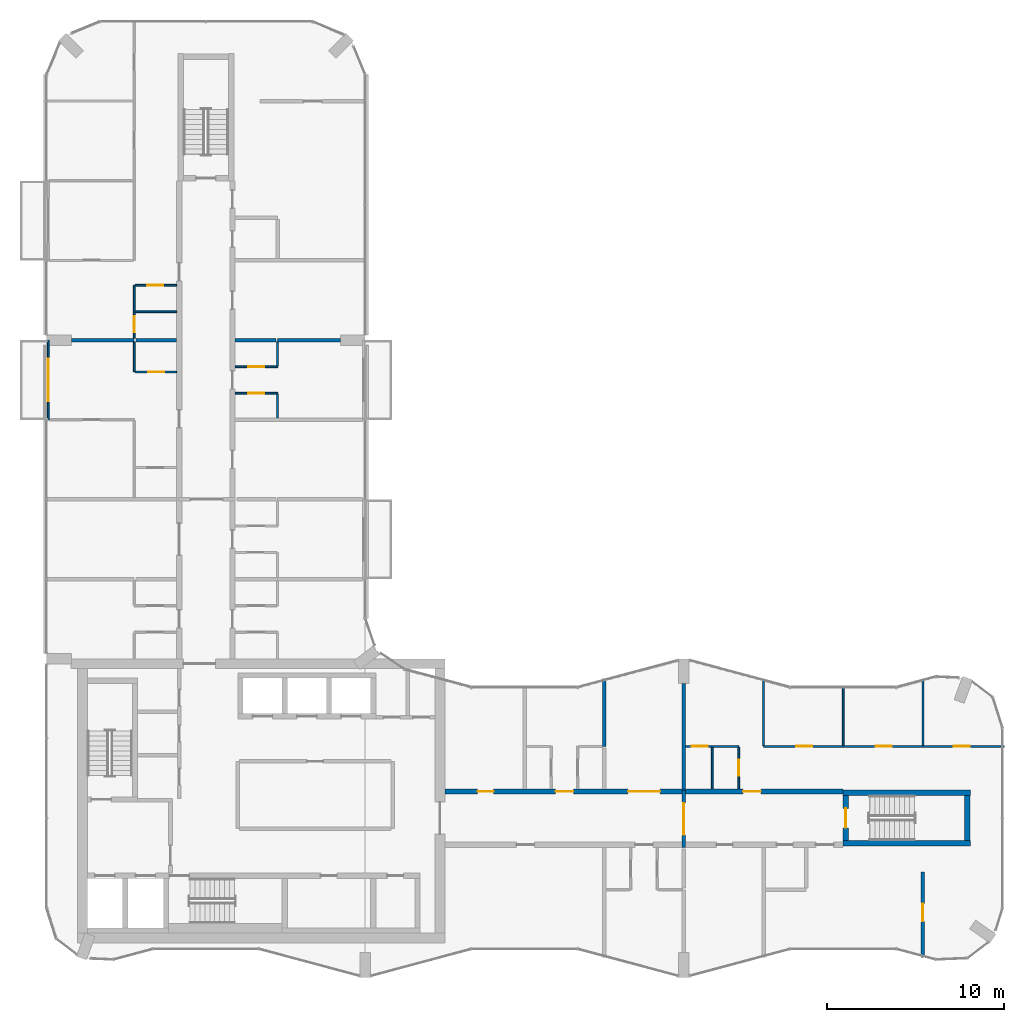
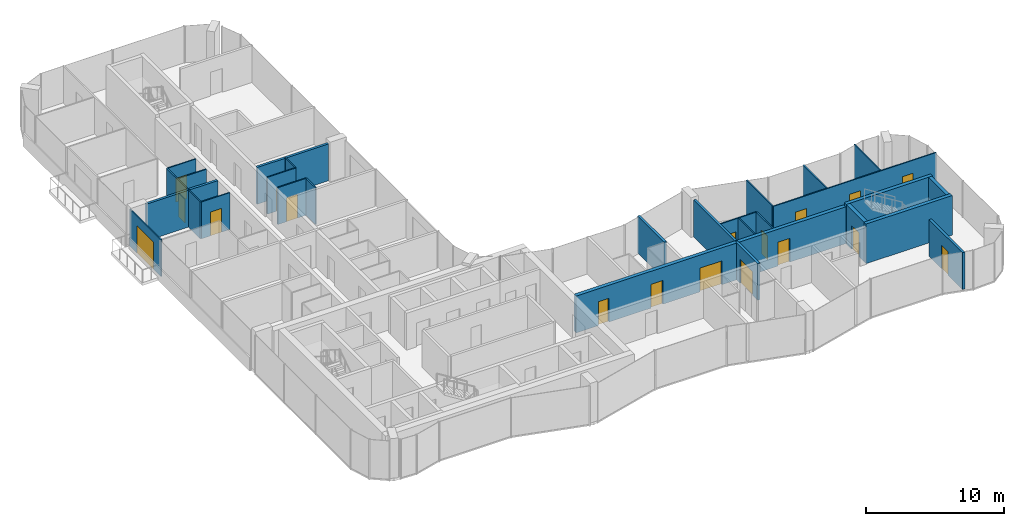
# One storey, part 12 of 15: 30 walls, 18 doors, 18 openings.
"""IFC4 building model written with IfcOpenShell, lengths in metres."""

import ifcopenshell
import ifcopenshell.guid

model = None  # the IFC model being written
_history = None  # IfcOwnerHistory: only IFC2X3 demands one
_inside = {}  # id of a spatial element -> (the spatial element, [elements in it])
_under = {}  # id of a project, library or spatial element -> (it, [spatial elements below it])
_declared = {}  # id of a project -> (the project, [libraries it declares])
_typed = {}  # id of a type object -> (the type object, [elements of that type])
_made_of = {}  # id of a material, layer set ... -> (it, [elements and type objects made of it])


def new_model(schema):
    """Start an empty IFC model of exactly this schema.

    Asked for "IFC4X3", IfcOpenShell would pick the latest addendum, in which some entities
    have other attributes; the version numbers below select the first issue.
    IFC2X3 requires an IfcOwnerHistory on every rooted entity: one is made here for all.
    """
    global model, _history
    if schema == "IFC4X3":
        model = ifcopenshell.file(schema_version=(4, 3, 0, 0))
    else:
        model = ifcopenshell.file(schema=schema)
    _inside.clear()
    _under.clear()
    _declared.clear()
    _typed.clear()
    _made_of.clear()
    _history = None
    if model.schema == "IFC2X3":
        org = make("IfcOrganization", Name="unknown")
        user = make(
            "IfcPersonAndOrganization",
            ThePerson=make("IfcPerson", FamilyName="unknown"),
            TheOrganization=org,
        )
        app = make(
            "IfcApplication",
            ApplicationDeveloper=org,
            Version="unknown",
            ApplicationFullName="unknown",
            ApplicationIdentifier="unknown",
        )
        _history = make(
            "IfcOwnerHistory",
            OwningUser=user,
            OwningApplication=app,
            ChangeAction="ADDED",
            CreationDate=0,
        )
    return model


def make(cls, **values):
    """One entity of the class cls with the attributes given. An attribute that is None is left unset."""
    return model.create_entity(
        cls, **{name: value for name, value in values.items() if value is not None}
    )


def rooted(cls, **values):
    """An entity with a GlobalId (a new one), such as an element, a storey or a relation."""
    return make(cls, GlobalId=ifcopenshell.guid.new(), OwnerHistory=_history, **values)


def si_unit(unit_type, name, prefix=None):
    """IfcSIUnit, for example si_unit("LENGTHUNIT", "METRE", prefix="MILLI")."""
    return make("IfcSIUnit", UnitType=unit_type, Prefix=prefix, Name=name)


def assignment(units):
    """IfcUnitAssignment: the units of a project."""
    return None if units is None else make("IfcUnitAssignment", Units=units)


def point(xyz):
    """IfcCartesianPoint."""
    return None if xyz is None else make("IfcCartesianPoint", Coordinates=xyz)


def direction(xyz):
    """IfcDirection."""
    return None if xyz is None else make("IfcDirection", DirectionRatios=xyz)


def frame(location, z_axis=None, x_axis=None):
    """IfcAxis2Placement3D, a coordinate frame: its origin and axes. An axis left out is left unset."""
    return make(
        "IfcAxis2Placement3D",
        Location=point(location),
        Axis=direction(z_axis),
        RefDirection=direction(x_axis),
    )


def frame_2d(location, x_axis=None):
    """IfcAxis2Placement2D, a coordinate frame in the plane: its origin and x axis."""
    return make(
        "IfcAxis2Placement2D", Location=point(location), RefDirection=direction(x_axis)
    )


def origin():
    """The frame at (0, 0, 0) with its axes left unset."""
    return frame((0.0, 0.0, 0.0))


def place(relative_to, where):
    """IfcLocalPlacement: puts the frame where relative to a parent placement (None: the world)."""
    return make(
        "IfcLocalPlacement", PlacementRelTo=relative_to, RelativePlacement=where
    )


def context(
    kind, dimensions, precision=None, world=None, true_north=None, identifier=None
):
    """IfcGeometricRepresentationContext, for example the 3D "Model" context."""
    return make(
        "IfcGeometricRepresentationContext",
        ContextIdentifier=identifier,
        ContextType=kind,
        CoordinateSpaceDimension=dimensions,
        Precision=precision,
        WorldCoordinateSystem=world,
        TrueNorth=true_north,
    )


def subcontext(parent, identifier, kind, view, scale=None):
    """IfcGeometricRepresentationSubContext, for example "Body" below "Model"."""
    return make(
        "IfcGeometricRepresentationSubContext",
        ContextIdentifier=identifier,
        ContextType=kind,
        ParentContext=parent,
        TargetScale=scale,
        TargetView=view,
    )


def project(units=None, contexts=None):
    """IfcProject with its units and contexts."""
    return rooted(
        "IfcProject",
        Name="project",
        RepresentationContexts=contexts,
        UnitsInContext=assignment(units),
    )


def spatial(cls, under=None, at=None, **own):
    """A site, building, storey or space (cls), placed at a placement, below another one or the project."""
    s = rooted(cls, ObjectPlacement=at, **own)
    if under is not None:
        _under.setdefault(under.id(), (under, []))[1].append(s)
    return s


def profile(cls, at=None, kind="AREA", **sizes):
    """A parametric profile (cls). Its sizes go by their IFC names, for example OverallWidth=200.0."""
    return make(cls, ProfileType=kind, Position=at, **sizes)


def rectangle(**sizes):
    """IfcRectangleProfileDef."""
    return profile("IfcRectangleProfileDef", **sizes)


def extrude(swept, where, along, depth):
    """IfcExtrudedAreaSolid: the profile swept, set in the frame where, extruded along a direction by depth."""
    return make(
        "IfcExtrudedAreaSolid",
        SweptArea=swept,
        Position=where,
        ExtrudedDirection=direction(along),
        Depth=depth,
    )


def shape(context_of_items, identifier, shape_type, items):
    """IfcShapeRepresentation: the items that make up one representation, for example the "Body"."""
    return make(
        "IfcShapeRepresentation",
        ContextOfItems=context_of_items,
        RepresentationIdentifier=identifier,
        RepresentationType=shape_type,
        Items=items,
    )


def material(Name=None, Category=None):
    """IfcMaterial."""
    return make("IfcMaterial", Name=Name, Category=Category)


def layer(
    of_material, thickness, ventilated=None, Name=None, Category=None, Priority=None
):
    """IfcMaterialLayer: one layer of a wall or slab, of a material (None: an air gap)."""
    return make(
        "IfcMaterialLayer",
        Material=of_material,
        LayerThickness=thickness,
        IsVentilated=ventilated,
        Name=Name,
        Category=Category,
        Priority=Priority,
    )


def layer_set(layers, Name=None):
    """IfcMaterialLayerSet."""
    return make("IfcMaterialLayerSet", MaterialLayers=layers, LayerSetName=Name)


def made_of(thing, what):
    """Note that an element or type object is made of a material, layer set ...; save() writes the relation."""
    if what is not None:
        _made_of.setdefault(what.id(), (what, []))[1].append(thing)
    return thing


def type_object(cls, material=None, **own):
    """A type object (cls), such as IfcWallType, which elements share."""
    return made_of(rooted(cls, **own), material)


def element(
    cls,
    number,
    at=None,
    inside=None,
    cuts=None,
    type_object=None,
    material=None,
    context=None,
    identifier="Body",
    shape_type=None,
    held_by="IfcProductDefinitionShape",
    body=None,
    shapes=None,
    **own,
):
    """One element of the class cls, such as IfcWall. Its Tag is "e" and its number.

    at: its placement. inside: the storey or other place that contains it. cuts: it is an
    opening in that element (IfcRelVoidsElement). A single representation is given by context,
    identifier, shape_type and body (its items); several are given by shapes. held_by: the class
    of the entity that holds the representations. save() writes the other relations.
    """
    e = rooted(cls, Tag="e%d" % number, ObjectPlacement=at, **own)
    if body is not None:
        shapes = [shape(context, identifier, shape_type, body)]
    if shapes is not None:
        e.Representation = make(held_by, Representations=shapes)
    if inside is not None:
        _inside.setdefault(inside.id(), (inside, []))[1].append(e)
    if cuts is not None:
        rooted(
            "IfcRelVoidsElement", RelatingBuildingElement=cuts, RelatedOpeningElement=e
        )
    if type_object is not None:
        _typed.setdefault(type_object.id(), (type_object, []))[1].append(e)
    return made_of(e, material)


def fill(opening, filler):
    """IfcRelFillsElement: the door or window that sits in an opening."""
    return rooted(
        "IfcRelFillsElement",
        RelatingOpeningElement=opening,
        RelatedBuildingElement=filler,
    )


def aggregate(whole, parts):
    """IfcRelAggregates: a whole, such as a stair, and the parts it consists of."""
    return rooted("IfcRelAggregates", RelatingObject=whole, RelatedObjects=parts)


def save(model, path):
    """Write the relations noted so far, then the file.

    IfcRelAggregates (storeys below a building ...), IfcRelContainedInSpatialStructure (elements
    in a storey), IfcRelDefinesByType, IfcRelAssociatesMaterial and IfcRelDeclares: one each for
    every whole, place, type object, material and project.
    """
    for whole, parts in _under.values():
        aggregate(whole, parts)
    for where, things in _inside.values():
        rooted(
            "IfcRelContainedInSpatialStructure",
            RelatedElements=things,
            RelatingStructure=where,
        )
    for kind, things in _typed.values():
        rooted("IfcRelDefinesByType", RelatedObjects=things, RelatingType=kind)
    for what, things in _made_of.values():
        rooted("IfcRelAssociatesMaterial", RelatedObjects=things, RelatingMaterial=what)
    for by, libraries in _declared.values():
        rooted("IfcRelDeclares", RelatingContext=by, RelatedDefinitions=libraries)
    model.write(path)


model = new_model("IFC4")

# Units and contexts
model_context = context("Model", 3, precision=1e-05, world=origin(), true_north=direction((0.0, 1.0)))
body_context = subcontext(model_context, "Body", "Model", "MODEL_VIEW")
ifc_project = project(units=[si_unit("LENGTHUNIT", "METRE"), si_unit("AREAUNIT", "SQUARE_METRE"), si_unit("VOLUMEUNIT", "CUBIC_METRE"), si_unit("PLANEANGLEUNIT", "RADIAN"), si_unit("MASSUNIT", "GRAM", prefix="KILO")], contexts=[model_context])

# Site, building, storey
site_placement = place(None, origin())
site = spatial("IfcSite", under=ifc_project, at=site_placement, CompositionType="ELEMENT")
building_placement = place(site_placement, origin())
building = spatial("IfcBuilding", under=site, at=building_placement, Name="Plateau Cross Towers", CompositionType="ELEMENT")
storey_placement = place(building_placement, frame((0.0, 0.0, 177.89990234375)))
storey = spatial("IfcBuildingStorey", under=building, at=storey_placement, Name="L46", CompositionType="ELEMENT", Elevation=177.89990234375)

# Wall, opening, door
ifc_material_1 = material(Name="Aluminium framed glazing", Category="aluminium")
ifc_layer_1 = layer(ifc_material_1, 0.10009765625)
ifc_layer_set_1 = layer_set([ifc_layer_1], Name="Aluminium framed glazing")
wall_type_1 = type_object("IfcWallType", Name="Balcony screen wall 100", PredefinedType="STANDARD", material=ifc_layer_set_1)
wall_1_placement = place(storey_placement, frame((0.10009765625, 31.5, 0.0), z_axis=(0.0, 0.0, 1.0), x_axis=(0.0, 1.0, 0.0)))
wall_1 = element("IfcWall", 1, at=wall_1_placement, inside=storey, type_object=wall_type_1, Name="Balcony screen wall A-BAL-L46-01", PredefinedType="STANDARD", context=body_context, shape_type="SweptSolid", body=[
    extrude(rectangle(XDim=4.5, YDim=0.10009765625, at=frame_2d((2.25, 0.0))), origin(), (0.0, 0.0, 1.0), 3.25),
])
opening_1_placement = place(wall_1_placement, frame((1.050048828125, 0.0, 0.0)))
opening_1 = element("IfcOpeningElement", 2, at=opening_1_placement, cuts=wall_1, Name="Opening D-B24", PredefinedType="OPENING", context=body_context, shape_type="SweptSolid", body=[
    extrude(rectangle(XDim=2.39990234375, YDim=2.39990234375, at=frame_2d((1.199951171875, 1.199951171875))), frame((0.0, 0.06005859375, 0.0), z_axis=(0.0, -1.0, 0.0), x_axis=(1.0, 0.0, 0.0)), (0.0, 0.0, 1.0), 0.1201171875),
])
ifc_material_2 = material(Name="Aluminium frame, double glazing", Category="aluminium")
door_type_1 = type_object("IfcDoorType", Name="Balcony sliding door 2400", OperationType="NOTDEFINED", PredefinedType="DOOR", material=ifc_material_2)
door_1_placement = place(opening_1_placement, origin())
door_1 = element("IfcDoor", 3, at=door_1_placement, inside=storey, type_object=door_type_1, Name="Balcony door A-BAL-L46-01", OperationType="SINGLE_SWING_LEFT", OverallHeight=2.39990234375, OverallWidth=2.39990234375, PredefinedType="DOOR", context=body_context, shape_type="SweptSolid", body=[
    extrude(rectangle(XDim=2.39990234375, YDim=2.39990234375, at=frame_2d((1.199951171875, 1.199951171875))), frame((0.0, 0.02490234375, 0.0), z_axis=(0.0, -1.0, 0.0), x_axis=(1.0, 0.0, 0.0)), (0.0, 0.0, 1.0), 0.050048828125),
])
fill(opening_1, door_1)

# Wall, openings, doors
ifc_material_3 = material(Name="Concrete C60/75", Category="concrete")
ifc_layer_2 = layer(ifc_material_3, 0.300048828125)
ifc_layer_set_2 = layer_set([ifc_layer_2], Name="Concrete C60/75")
wall_type_2 = type_object("IfcWallType", Name="Corridor wall 300", PredefinedType="SHEAR", material=ifc_layer_set_2)
wall_2_placement = place(storey_placement, frame((22.5, 10.5, 0.0), z_axis=(0.0, 0.0, 1.0), x_axis=(1.0, 0.0, 0.0)))
wall_2 = element("IfcWall", 4, at=wall_2_placement, inside=storey, type_object=wall_type_2, Name="A-cw-S2@L46", PredefinedType="SHEAR", context=body_context, shape_type="SweptSolid", body=[
    extrude(rectangle(XDim=22.5, YDim=0.300048828125, at=frame_2d((11.25, 0.0))), origin(), (0.0, 0.0, 1.0), 3.25),
])
opening_2_placement = place(wall_2_placement, frame((1.85009765625, 0.0, 0.0)))
opening_2 = element("IfcOpeningElement", 5, at=opening_2_placement, cuts=wall_2, Name="Opening 46-06", PredefinedType="OPENING", context=body_context, shape_type="SweptSolid", body=[
    extrude(rectangle(XDim=0.89990234375, YDim=2.10009765625, at=frame_2d((0.449951171875, 1.050048828125))), frame((0.0, 0.159912109375, 0.0), z_axis=(0.0, -1.0, 0.0), x_axis=(1.0, 0.0, 0.0)), (0.0, 0.0, 1.0), 0.320068359375),
])
opening_3_placement = place(wall_2_placement, frame((6.25, 0.0, 0.0)))
opening_3 = element("IfcOpeningElement", 6, at=opening_3_placement, cuts=wall_2, Name="Opening 46-07", PredefinedType="OPENING", context=body_context, shape_type="SweptSolid", body=[
    extrude(rectangle(XDim=1.0, YDim=2.10009765625, at=frame_2d((0.5, 1.050048828125))), frame((0.0, 0.159912109375, 0.0), z_axis=(0.0, -1.0, 0.0), x_axis=(1.0, 0.0, 0.0)), (0.0, 0.0, 1.0), 0.320068359375),
])
opening_4_placement = place(wall_2_placement, frame((10.35009765625, 0.0, 0.0)))
opening_4 = element("IfcOpeningElement", 7, at=opening_4_placement, cuts=wall_2, Name="Opening 46-08", PredefinedType="OPENING", context=body_context, shape_type="SweptSolid", body=[
    extrude(rectangle(XDim=1.800048828125, YDim=2.10009765625, at=frame_2d((0.89990234375, 1.050048828125))), frame((0.0, 0.159912109375, 0.0), z_axis=(0.0, -1.0, 0.0), x_axis=(1.0, 0.0, 0.0)), (0.0, 0.0, 1.0), 0.320068359375),
])
opening_5_placement = place(wall_2_placement, frame((16.85009765625, 0.0, 0.0)))
opening_5 = element("IfcOpeningElement", 8, at=opening_5_placement, cuts=wall_2, Name="Opening 46-09", PredefinedType="OPENING", context=body_context, shape_type="SweptSolid", body=[
    extrude(rectangle(XDim=1.0, YDim=2.10009765625, at=frame_2d((0.5, 1.050048828125))), frame((0.0, 0.159912109375, 0.0), z_axis=(0.0, -1.0, 0.0), x_axis=(1.0, 0.0, 0.0)), (0.0, 0.0, 1.0), 0.320068359375),
])
ifc_material_4 = material(Name="Timber, fire-resisting leaf", Category="wood")
door_type_2 = type_object("IfcDoorType", Name="Flat entrance door 1000", OperationType="NOTDEFINED", PredefinedType="DOOR", material=ifc_material_4)
door_2_placement = place(opening_3_placement, origin())
door_2 = element("IfcDoor", 9, at=door_2_placement, inside=storey, type_object=door_type_2, Name="Door 46-07", OperationType="SINGLE_SWING_LEFT", OverallHeight=2.10009765625, OverallWidth=1.0, PredefinedType="DOOR", context=body_context, shape_type="SweptSolid", body=[
    extrude(rectangle(XDim=1.0, YDim=2.10009765625, at=frame_2d((0.5, 1.050048828125))), frame((0.0, 0.02490234375, 0.0), z_axis=(0.0, -1.0, 0.0), x_axis=(1.0, 0.0, 0.0)), (0.0, 0.0, 1.0), 0.050048828125),
])
fill(opening_3, door_2)
door_3_placement = place(opening_5_placement, origin())
door_3 = element("IfcDoor", 10, at=door_3_placement, inside=storey, type_object=door_type_2, Name="Door 46-09", OperationType="SINGLE_SWING_RIGHT", OverallHeight=2.10009765625, OverallWidth=1.0, PredefinedType="DOOR", context=body_context, shape_type="SweptSolid", body=[
    extrude(rectangle(XDim=1.0, YDim=2.10009765625, at=frame_2d((0.5, 1.050048828125))), frame((0.0, 0.02490234375, 0.0), z_axis=(0.0, -1.0, 0.0), x_axis=(1.0, 0.0, 0.0)), (0.0, 0.0, 1.0), 0.050048828125),
])
fill(opening_5, door_3)
ifc_material_5 = material(Name="Timber, fire-resisting leaves", Category="wood")
door_type_3 = type_object("IfcDoorType", Name="Flat floor fire door pair 1800", OperationType="NOTDEFINED", PredefinedType="DOOR", material=ifc_material_5)
door_4_placement = place(opening_4_placement, origin())
door_4 = element("IfcDoor", 11, at=door_4_placement, inside=storey, type_object=door_type_3, Name="Door 46-08", OperationType="SINGLE_SWING_LEFT", OverallHeight=2.10009765625, OverallWidth=1.800048828125, PredefinedType="DOOR", context=body_context, shape_type="SweptSolid", body=[
    extrude(rectangle(XDim=1.800048828125, YDim=2.10009765625, at=frame_2d((0.89990234375, 1.050048828125))), frame((0.0, 0.02490234375, 0.0), z_axis=(0.0, -1.0, 0.0), x_axis=(1.0, 0.0, 0.0)), (0.0, 0.0, 1.0), 0.050048828125),
])
fill(opening_4, door_4)
door_type_4 = type_object("IfcDoorType", Name="Flat floor service door 900", OperationType="NOTDEFINED", PredefinedType="DOOR", material=ifc_material_4)
door_5_placement = place(opening_2_placement, origin())
door_5 = element("IfcDoor", 12, at=door_5_placement, inside=storey, type_object=door_type_4, Name="Door 46-06", OperationType="SINGLE_SWING_LEFT", OverallHeight=2.10009765625, OverallWidth=0.89990234375, PredefinedType="DOOR", context=body_context, shape_type="SweptSolid", body=[
    extrude(rectangle(XDim=0.89990234375, YDim=2.10009765625, at=frame_2d((0.449951171875, 1.050048828125))), frame((0.0, 0.02490234375, 0.0), z_axis=(0.0, -1.0, 0.0), x_axis=(1.0, 0.0, 0.0)), (0.0, 0.0, 1.0), 0.050048828125),
])
fill(opening_2, door_5)

# Wall, opening, door
ifc_material_6 = material(Name="Gypsum board on steel studs", Category="steel")
ifc_layer_3 = layer(ifc_material_6, 0.10009765625)
ifc_layer_set_3 = layer_set([ifc_layer_3], Name="Gypsum board on steel studs")
wall_type_3 = type_object("IfcWallType", Name="Flat partition 100", PredefinedType="PARTITIONING", material=ifc_layer_set_3)
wall_3_placement = place(storey_placement, frame((39.10009765625, 13.050048828125, 0.0), z_axis=(0.0, 0.0, 1.0), x_axis=(-1.0, 0.0, 0.0)))
wall_3 = element("IfcWall", 13, at=wall_3_placement, inside=storey, type_object=wall_type_3, Name="Partition wall", PredefinedType="PARTITIONING", context=body_context, shape_type="SweptSolid", body=[
    extrude(rectangle(XDim=3.0, YDim=0.10009765625, at=frame_2d((1.5, 0.0))), origin(), (0.0, 0.0, 1.0), 3.25),
])
opening_6_placement = place(wall_3_placement, frame((1.75, 0.0, 0.0)))
opening_6 = element("IfcOpeningElement", 14, at=opening_6_placement, cuts=wall_3, Name="Opening 46-29", PredefinedType="OPENING", context=body_context, shape_type="SweptSolid", body=[
    extrude(rectangle(XDim=0.89990234375, YDim=2.10009765625, at=frame_2d((0.449951171875, 1.050048828125))), frame((0.0, 0.06005859375, 0.0), z_axis=(0.0, -1.0, 0.0), x_axis=(1.0, 0.0, 0.0)), (0.0, 0.0, 1.0), 0.1201171875),
])
ifc_material_7 = material(Name="Timber leaf", Category="wood")
door_type_5 = type_object("IfcDoorType", Name="Flat room door 900", OperationType="NOTDEFINED", PredefinedType="DOOR", material=ifc_material_7)
door_6_placement = place(opening_6_placement, origin())
door_6 = element("IfcDoor", 15, at=door_6_placement, inside=storey, type_object=door_type_5, Name="Door 46-29", OperationType="SINGLE_SWING_RIGHT", OverallHeight=2.10009765625, OverallWidth=0.89990234375, PredefinedType="DOOR", context=body_context, shape_type="SweptSolid", body=[
    extrude(rectangle(XDim=0.89990234375, YDim=2.10009765625, at=frame_2d((0.449951171875, 1.050048828125))), frame((0.0, 0.02490234375, 0.0), z_axis=(0.0, -1.0, 0.0), x_axis=(1.0, 0.0, 0.0)), (0.0, 0.0, 1.0), 0.050048828125),
])
fill(opening_6, door_6)

# Wall, openings, doors
wall_4_placement = place(storey_placement, frame((40.5, 13.050048828125, 0.0), z_axis=(0.0, 0.0, 1.0), x_axis=(1.0, 0.0, 0.0)))
wall_4 = element("IfcWall", 16, at=wall_4_placement, inside=storey, type_object=wall_type_3, Name="Partition wall", PredefinedType="PARTITIONING", context=body_context, shape_type="SweptSolid", body=[
    extrude(rectangle(XDim=13.580078125, YDim=0.10009765625, at=frame_2d((6.7900390625, 0.0))), origin(), (0.0, 0.0, 1.0), 3.25),
])
opening_7_placement = place(wall_4_placement, frame((1.85009765625, 0.0, 0.0)))
opening_7 = element("IfcOpeningElement", 17, at=opening_7_placement, cuts=wall_4, Name="Opening 46-31", PredefinedType="OPENING", context=body_context, shape_type="SweptSolid", body=[
    extrude(rectangle(XDim=0.89990234375, YDim=2.10009765625, at=frame_2d((0.449951171875, 1.050048828125))), frame((0.0, 0.06005859375, 0.0), z_axis=(0.0, -1.0, 0.0), x_axis=(1.0, 0.0, 0.0)), (0.0, 0.0, 1.0), 0.1201171875),
])
opening_8_placement = place(wall_4_placement, frame((6.35009765625, 0.0, 0.0)))
opening_8 = element("IfcOpeningElement", 18, at=opening_8_placement, cuts=wall_4, Name="Opening 46-32", PredefinedType="OPENING", context=body_context, shape_type="SweptSolid", body=[
    extrude(rectangle(XDim=0.89990234375, YDim=2.10009765625, at=frame_2d((0.449951171875, 1.050048828125))), frame((0.0, 0.06005859375, 0.0), z_axis=(0.0, -1.0, 0.0), x_axis=(1.0, 0.0, 0.0)), (0.0, 0.0, 1.0), 0.1201171875),
])
opening_9_placement = place(wall_4_placement, frame((10.75, 0.0, 0.0)))
opening_9 = element("IfcOpeningElement", 19, at=opening_9_placement, cuts=wall_4, Name="Opening 46-33", PredefinedType="OPENING", context=body_context, shape_type="SweptSolid", body=[
    extrude(rectangle(XDim=0.89990234375, YDim=2.10009765625, at=frame_2d((0.449951171875, 1.050048828125))), frame((0.0, 0.06005859375, 0.0), z_axis=(0.0, -1.0, 0.0), x_axis=(1.0, 0.0, 0.0)), (0.0, 0.0, 1.0), 0.1201171875),
])
door_7_placement = place(opening_7_placement, origin())
door_7 = element("IfcDoor", 20, at=door_7_placement, inside=storey, type_object=door_type_5, Name="Door 46-31", OperationType="SINGLE_SWING_LEFT", OverallHeight=2.10009765625, OverallWidth=0.89990234375, PredefinedType="DOOR", context=body_context, shape_type="SweptSolid", body=[
    extrude(rectangle(XDim=0.89990234375, YDim=2.10009765625, at=frame_2d((0.449951171875, 1.050048828125))), frame((0.0, 0.02490234375, 0.0), z_axis=(0.0, -1.0, 0.0), x_axis=(1.0, 0.0, 0.0)), (0.0, 0.0, 1.0), 0.050048828125),
])
fill(opening_7, door_7)
door_8_placement = place(opening_8_placement, origin())
door_8 = element("IfcDoor", 21, at=door_8_placement, inside=storey, type_object=door_type_5, Name="Door 46-32", OperationType="SINGLE_SWING_RIGHT", OverallHeight=2.10009765625, OverallWidth=0.89990234375, PredefinedType="DOOR", context=body_context, shape_type="SweptSolid", body=[
    extrude(rectangle(XDim=0.89990234375, YDim=2.10009765625, at=frame_2d((0.449951171875, 1.050048828125))), frame((0.0, 0.02490234375, 0.0), z_axis=(0.0, -1.0, 0.0), x_axis=(1.0, 0.0, 0.0)), (0.0, 0.0, 1.0), 0.050048828125),
])
fill(opening_8, door_8)
door_9_placement = place(opening_9_placement, origin())
door_9 = element("IfcDoor", 22, at=door_9_placement, inside=storey, type_object=door_type_5, Name="Door 46-33", OperationType="SINGLE_SWING_RIGHT", OverallHeight=2.10009765625, OverallWidth=0.89990234375, PredefinedType="DOOR", context=body_context, shape_type="SweptSolid", body=[
    extrude(rectangle(XDim=0.89990234375, YDim=2.10009765625, at=frame_2d((0.449951171875, 1.050048828125))), frame((0.0, 0.02490234375, 0.0), z_axis=(0.0, -1.0, 0.0), x_axis=(1.0, 0.0, 0.0)), (0.0, 0.0, 1.0), 0.050048828125),
])
fill(opening_9, door_9)

# Wall, opening, door
wall_5_placement = place(storey_placement, frame((13.050048828125, 33.0, 0.0), z_axis=(0.0, 0.0, 1.0), x_axis=(-1.0, 0.0, 0.0)))
wall_5 = element("IfcWall", 23, at=wall_5_placement, inside=storey, type_object=wall_type_3, Name="Partition wall", PredefinedType="PARTITIONING", context=body_context, shape_type="SweptSolid", body=[
    extrude(rectangle(XDim=2.400146484375, YDim=0.10009765625, at=frame_2d((1.2001953125, 0.0))), origin(), (0.0, 0.0, 1.0), 3.25),
])
opening_10_placement = place(wall_5_placement, frame((0.75, 0.0, 0.0)))
opening_10 = element("IfcOpeningElement", 24, at=opening_10_placement, cuts=wall_5, Name="Opening 46-48", PredefinedType="OPENING", context=body_context, shape_type="SweptSolid", body=[
    extrude(rectangle(XDim=0.89990234375, YDim=2.10009765625, at=frame_2d((0.449951171875, 1.050048828125))), frame((0.0, 0.06005859375, 0.0), z_axis=(0.0, -1.0, 0.0), x_axis=(1.0, 0.0, 0.0)), (0.0, 0.0, 1.0), 0.1201171875),
])
door_10_placement = place(opening_10_placement, origin())
door_10 = element("IfcDoor", 25, at=door_10_placement, inside=storey, type_object=door_type_5, Name="Door 46-48", OperationType="SINGLE_SWING_LEFT", OverallHeight=2.10009765625, OverallWidth=0.89990234375, PredefinedType="DOOR", context=body_context, shape_type="SweptSolid", body=[
    extrude(rectangle(XDim=0.89990234375, YDim=2.10009765625, at=frame_2d((0.449951171875, 1.050048828125))), frame((0.0, 0.02490234375, 0.0), z_axis=(0.0, -1.0, 0.0), x_axis=(1.0, 0.0, 0.0)), (0.0, 0.0, 1.0), 0.050048828125),
])
fill(opening_10, door_10)

wall_6_placement = place(storey_placement, frame((5.0, 34.199951171875, 0.0), z_axis=(0.0, 0.0, 1.0), x_axis=(1.0, 0.0, 0.0)))
wall_6 = element("IfcWall", 26, at=wall_6_placement, inside=storey, type_object=wall_type_3, Name="Partition wall", PredefinedType="PARTITIONING", context=body_context, shape_type="SweptSolid", body=[
    extrude(rectangle(XDim=2.35009765625, YDim=0.10009765625, at=frame_2d((1.175048828125, 0.0))), origin(), (0.0, 0.0, 1.0), 3.25),
])
opening_11_placement = place(wall_6_placement, frame((0.75, 0.0, 0.0)))
opening_11 = element("IfcOpeningElement", 27, at=opening_11_placement, cuts=wall_6, Name="Opening 46-37", PredefinedType="OPENING", context=body_context, shape_type="SweptSolid", body=[
    extrude(rectangle(XDim=0.89990234375, YDim=2.10009765625, at=frame_2d((0.449951171875, 1.050048828125))), frame((0.0, 0.06005859375, 0.0), z_axis=(0.0, -1.0, 0.0), x_axis=(1.0, 0.0, 0.0)), (0.0, 0.0, 1.0), 0.1201171875),
])
door_11_placement = place(opening_11_placement, origin())
door_11 = element("IfcDoor", 28, at=door_11_placement, inside=storey, type_object=door_type_5, Name="Door 46-37", OperationType="SINGLE_SWING_RIGHT", OverallHeight=2.10009765625, OverallWidth=0.89990234375, PredefinedType="DOOR", context=body_context, shape_type="SweptSolid", body=[
    extrude(rectangle(XDim=0.89990234375, YDim=2.10009765625, at=frame_2d((0.449951171875, 1.050048828125))), frame((0.0, 0.02490234375, 0.0), z_axis=(0.0, -1.0, 0.0), x_axis=(1.0, 0.0, 0.0)), (0.0, 0.0, 1.0), 0.050048828125),
])
fill(opening_11, door_11)

wall_7_placement = place(storey_placement, frame((10.64990234375, 34.5, 0.0), z_axis=(0.0, 0.0, 1.0), x_axis=(1.0, 0.0, 0.0)))
wall_7 = element("IfcWall", 29, at=wall_7_placement, inside=storey, type_object=wall_type_3, Name="Partition wall", PredefinedType="PARTITIONING", context=body_context, shape_type="SweptSolid", body=[
    extrude(rectangle(XDim=2.400146484375, YDim=0.10009765625, at=frame_2d((1.2001953125, 0.0))), origin(), (0.0, 0.0, 1.0), 3.25),
])
opening_12_placement = place(wall_7_placement, frame((0.75, 0.0, 0.0)))
opening_12 = element("IfcOpeningElement", 30, at=opening_12_placement, cuts=wall_7, Name="Opening 46-49", PredefinedType="OPENING", context=body_context, shape_type="SweptSolid", body=[
    extrude(rectangle(XDim=0.89990234375, YDim=2.10009765625, at=frame_2d((0.449951171875, 1.050048828125))), frame((0.0, 0.06005859375, 0.0), z_axis=(0.0, -1.0, 0.0), x_axis=(1.0, 0.0, 0.0)), (0.0, 0.0, 1.0), 0.1201171875),
])
door_12_placement = place(opening_12_placement, origin())
door_12 = element("IfcDoor", 31, at=door_12_placement, inside=storey, type_object=door_type_5, Name="Door 46-49", OperationType="SINGLE_SWING_LEFT", OverallHeight=2.10009765625, OverallWidth=0.89990234375, PredefinedType="DOOR", context=body_context, shape_type="SweptSolid", body=[
    extrude(rectangle(XDim=0.89990234375, YDim=2.10009765625, at=frame_2d((0.449951171875, 1.050048828125))), frame((0.0, 0.02490234375, 0.0), z_axis=(0.0, -1.0, 0.0), x_axis=(1.0, 0.0, 0.0)), (0.0, 0.0, 1.0), 0.050048828125),
])
fill(opening_12, door_12)

# Wall
wall_8_placement = place(storey_placement, frame((7.35009765625, 37.60009765625, 0.0), z_axis=(0.0, 0.0, 1.0), x_axis=(-1.0, 0.0, 0.0)))
element("IfcWall", 32, at=wall_8_placement, inside=storey, type_object=wall_type_3, Name="Partition wall", PredefinedType="PARTITIONING", context=body_context, shape_type="SweptSolid", body=[
    extrude(rectangle(XDim=2.35009765625, YDim=0.10009765625, at=frame_2d((1.175048828125, 0.0))), origin(), (0.0, 0.0, 1.0), 3.25),
])

# Wall, opening, door
wall_9_placement = place(storey_placement, frame((7.35009765625, 39.10009765625, 0.0), z_axis=(0.0, 0.0, 1.0), x_axis=(-1.0, 0.0, 0.0)))
wall_9 = element("IfcWall", 33, at=wall_9_placement, inside=storey, type_object=wall_type_3, Name="Partition wall", PredefinedType="PARTITIONING", context=body_context, shape_type="SweptSolid", body=[
    extrude(rectangle(XDim=2.35009765625, YDim=0.10009765625, at=frame_2d((1.175048828125, 0.0))), origin(), (0.0, 0.0, 1.0), 3.25),
])
opening_13_placement = place(wall_9_placement, frame((0.75, 0.0, 0.0)))
opening_13 = element("IfcOpeningElement", 34, at=opening_13_placement, cuts=wall_9, Name="Opening 46-40", PredefinedType="OPENING", context=body_context, shape_type="SweptSolid", body=[
    extrude(rectangle(XDim=0.89990234375, YDim=2.10009765625, at=frame_2d((0.449951171875, 1.050048828125))), frame((0.0, 0.06005859375, 0.0), z_axis=(0.0, -1.0, 0.0), x_axis=(1.0, 0.0, 0.0)), (0.0, 0.0, 1.0), 0.1201171875),
])
door_13_placement = place(opening_13_placement, origin())
door_13 = element("IfcDoor", 35, at=door_13_placement, inside=storey, type_object=door_type_5, Name="Door 46-40", OperationType="SINGLE_SWING_RIGHT", OverallHeight=2.10009765625, OverallWidth=0.89990234375, PredefinedType="DOOR", context=body_context, shape_type="SweptSolid", body=[
    extrude(rectangle(XDim=0.89990234375, YDim=2.10009765625, at=frame_2d((0.449951171875, 1.050048828125))), frame((0.0, 0.02490234375, 0.0), z_axis=(0.0, -1.0, 0.0), x_axis=(1.0, 0.0, 0.0)), (0.0, 0.0, 1.0), 0.050048828125),
])
fill(opening_13, door_13)

# Wall
wall_10_placement = place(storey_placement, frame((4.949951171875, 35.89990234375, 0.0), z_axis=(0.0, 0.0, 1.0), x_axis=(0.0, -1.0, 0.0)))
element("IfcWall", 36, at=wall_10_placement, inside=storey, type_object=wall_type_3, Name="Partition wall", PredefinedType="PARTITIONING", context=body_context, shape_type="SweptSolid", body=[
    extrude(rectangle(XDim=1.699951171875, YDim=0.10009765625, at=frame_2d((0.85009765625, 0.0))), origin(), (0.0, 0.0, 1.0), 3.25),
])

# Wall, opening, door
wall_11_placement = place(storey_placement, frame((4.949951171875, 39.10009765625, 0.0), z_axis=(0.0, 0.0, 1.0), x_axis=(0.0, -1.0, 0.0)))
wall_11 = element("IfcWall", 37, at=wall_11_placement, inside=storey, type_object=wall_type_3, Name="Partition wall", PredefinedType="PARTITIONING", context=body_context, shape_type="SweptSolid", body=[
    extrude(rectangle(XDim=3.0, YDim=0.10009765625, at=frame_2d((1.5, 0.0))), origin(), (0.0, 0.0, 1.0), 3.25),
])
opening_14_placement = place(wall_11_placement, frame((1.75, 0.0, 0.0)))
opening_14 = element("IfcOpeningElement", 38, at=opening_14_placement, cuts=wall_11, Name="Opening 46-39", PredefinedType="OPENING", context=body_context, shape_type="SweptSolid", body=[
    extrude(rectangle(XDim=0.89990234375, YDim=2.10009765625, at=frame_2d((0.449951171875, 1.050048828125))), frame((0.0, 0.06005859375, 0.0), z_axis=(0.0, -1.0, 0.0), x_axis=(1.0, 0.0, 0.0)), (0.0, 0.0, 1.0), 0.1201171875),
])
door_14_placement = place(opening_14_placement, origin())
door_14 = element("IfcDoor", 39, at=door_14_placement, inside=storey, type_object=door_type_5, Name="Door 46-39", OperationType="SINGLE_SWING_RIGHT", OverallHeight=2.10009765625, OverallWidth=0.89990234375, PredefinedType="DOOR", context=body_context, shape_type="SweptSolid", body=[
    extrude(rectangle(XDim=0.89990234375, YDim=2.10009765625, at=frame_2d((0.449951171875, 1.050048828125))), frame((0.0, 0.02490234375, 0.0), z_axis=(0.0, -1.0, 0.0), x_axis=(1.0, 0.0, 0.0)), (0.0, 0.0, 1.0), 0.050048828125),
])
fill(opening_14, door_14)

# Walls
for number, where, z_axis, x_axis, name in (
    (40, (13.050048828125, 31.60009765625, 0.0), (0.0, 0.0, 1.0), (0.0, 1.0, 0.0), "Partition wall"),
    (41, (13.050048828125, 34.550048828125, 0.0), (0.0, 0.0, 1.0), (0.0, 1.0, 0.0), "Partition wall"),
):
    element("IfcWall", number, at=place(storey_placement, frame(where, z_axis=z_axis, x_axis=x_axis)), inside=storey, type_object=wall_type_3, Name=name, PredefinedType="PARTITIONING", context=body_context, shape_type="SweptSolid", body=[
        extrude(rectangle(XDim=1.349853515625, YDim=0.10009765625, at=frame_2d((0.6748046875, 0.0))), origin(), (0.0, 0.0, 1.0), 3.25),
    ])
wall_12_placement = place(storey_placement, frame((37.60009765625, 10.64990234375, 0.0), z_axis=(0.0, 0.0, 1.0), x_axis=(0.0, 1.0, 0.0)))
element("IfcWall", 42, at=wall_12_placement, inside=storey, type_object=wall_type_3, Name="Partition wall", PredefinedType="PARTITIONING", context=body_context, shape_type="SweptSolid", body=[
    extrude(rectangle(XDim=2.35009765625, YDim=0.10009765625, at=frame_2d((1.175048828125, 0.0))), origin(), (0.0, 0.0, 1.0), 3.25),
])

# Wall, opening, door
wall_13_placement = place(storey_placement, frame((39.10009765625, 10.64990234375, 0.0), z_axis=(0.0, 0.0, 1.0), x_axis=(0.0, 1.0, 0.0)))
wall_13 = element("IfcWall", 43, at=wall_13_placement, inside=storey, type_object=wall_type_3, Name="Partition wall", PredefinedType="PARTITIONING", context=body_context, shape_type="SweptSolid", body=[
    extrude(rectangle(XDim=2.35009765625, YDim=0.10009765625, at=frame_2d((1.175048828125, 0.0))), origin(), (0.0, 0.0, 1.0), 3.25),
])
opening_15_placement = place(wall_13_placement, frame((0.75, 0.0, 0.0)))
opening_15 = element("IfcOpeningElement", 44, at=opening_15_placement, cuts=wall_13, Name="Opening 46-30", PredefinedType="OPENING", context=body_context, shape_type="SweptSolid", body=[
    extrude(rectangle(XDim=0.89990234375, YDim=2.10009765625, at=frame_2d((0.449951171875, 1.050048828125))), frame((0.0, 0.06005859375, 0.0), z_axis=(0.0, -1.0, 0.0), x_axis=(1.0, 0.0, 0.0)), (0.0, 0.0, 1.0), 0.1201171875),
])
door_15_placement = place(opening_15_placement, origin())
door_15 = element("IfcDoor", 45, at=door_15_placement, inside=storey, type_object=door_type_5, Name="Door 46-30", OperationType="SINGLE_SWING_RIGHT", OverallHeight=2.10009765625, OverallWidth=0.89990234375, PredefinedType="DOOR", context=body_context, shape_type="SweptSolid", body=[
    extrude(rectangle(XDim=0.89990234375, YDim=2.10009765625, at=frame_2d((0.449951171875, 1.050048828125))), frame((0.0, 0.02490234375, 0.0), z_axis=(0.0, -1.0, 0.0), x_axis=(1.0, 0.0, 0.0)), (0.0, 0.0, 1.0), 0.050048828125),
])
fill(opening_15, door_15)

# Walls
wall_14_placement = place(storey_placement, frame((40.5, 16.877685546875, 0.0), z_axis=(0.0, 0.0, 1.0), x_axis=(0.0, -1.0, 0.0)))
element("IfcWall", 46, at=wall_14_placement, inside=storey, type_object=wall_type_3, Name="Partition wall", PredefinedType="PARTITIONING", context=body_context, shape_type="SweptSolid", body=[
    extrude(rectangle(XDim=3.777587890625, YDim=0.10009765625, at=frame_2d((1.888671875, 0.0))), origin(), (0.0, 0.0, 1.0), 3.25),
])
wall_15_placement = place(storey_placement, frame((45.0, 13.10009765625, 0.0), z_axis=(0.0, 0.0, 1.0), x_axis=(0.0, 1.0, 0.0)))
element("IfcWall", 47, at=wall_15_placement, inside=storey, type_object=wall_type_3, Name="Partition wall", PredefinedType="PARTITIONING", context=body_context, shape_type="SweptSolid", body=[
    extrude(rectangle(XDim=3.373046875, YDim=0.10009765625, at=frame_2d((1.6865234375, 0.0))), origin(), (0.0, 0.0, 1.0), 3.25),
])
wall_16_placement = place(storey_placement, frame((49.5, 13.10009765625, 0.0), z_axis=(0.0, 0.0, 1.0), x_axis=(0.0, 1.0, 0.0)))
element("IfcWall", 48, at=wall_16_placement, inside=storey, type_object=wall_type_3, Name="Partition wall", PredefinedType="PARTITIONING", context=body_context, shape_type="SweptSolid", body=[
    extrude(rectangle(XDim=3.777587890625, YDim=0.10009765625, at=frame_2d((1.888671875, 0.0))), origin(), (0.0, 0.0, 1.0), 3.25),
])
ifc_material_8 = material(Name="Gypsum board on steel studs, two layers each side", Category="steel")
ifc_layer_4 = layer(ifc_material_8, 0.199951171875)
ifc_layer_set_4 = layer_set([ifc_layer_4], Name="Gypsum board on steel studs, two layers each side")
wall_type_4 = type_object("IfcWallType", Name="Flat party wall 200", PredefinedType="PARTITIONING", material=ifc_layer_set_4)
for number, where, z_axis, x_axis, name in (
    (49, (7.35009765625, 36.0, 0.0), (0.0, 0.0, 1.0), (-1.0, 0.0, 0.0), "Party wall"),
    (50, (12.949951171875, 36.0, 0.0), (0.0, 0.0, 1.0), (-1.0, 0.0, 0.0), "Party wall"),
):
    element("IfcWall", number, at=place(storey_placement, frame(where, z_axis=z_axis, x_axis=x_axis)), inside=storey, type_object=wall_type_4, Name=name, PredefinedType="PARTITIONING", context=body_context, shape_type="SweptSolid", body=[
        extrude(rectangle(XDim=2.300048828125, YDim=0.199951171875, at=frame_2d((1.14990234375, 0.0))), origin(), (0.0, 0.0, 1.0), 3.25),
    ])
for number, where, z_axis, x_axis, name in (
    (51, (1.39990234375, 36.0, 0.0), (0.0, 0.0, 1.0), (1.0, 0.0, 0.0), "Party wall"),
    (52, (13.050048828125, 36.0, 0.0), (0.0, 0.0, 1.0), (1.0, 0.0, 0.0), "Party wall"),
):
    element("IfcWall", number, at=place(storey_placement, frame(where, z_axis=z_axis, x_axis=x_axis)), inside=storey, type_object=wall_type_4, Name=name, PredefinedType="PARTITIONING", context=body_context, shape_type="SweptSolid", body=[
        extrude(rectangle(XDim=3.550048828125, YDim=0.199951171875, at=frame_2d((1.77490234375, 0.0))), origin(), (0.0, 0.0, 1.0), 3.25),
    ])
wall_17_placement = place(storey_placement, frame((31.5, 16.877685546875, 0.0), z_axis=(0.0, 0.0, 1.0), x_axis=(0.0, -1.0, 0.0)))
element("IfcWall", 53, at=wall_17_placement, inside=storey, type_object=wall_type_4, Name="Party wall", PredefinedType="PARTITIONING", context=body_context, shape_type="SweptSolid", body=[
    extrude(rectangle(XDim=3.82763671875, YDim=0.199951171875, at=frame_2d((1.913818359375, 0.0))), origin(), (0.0, 0.0, 1.0), 3.25),
])
wall_18_placement = place(storey_placement, frame((36.0, 10.64990234375, 0.0), z_axis=(0.0, 0.0, 1.0), x_axis=(0.0, 1.0, 0.0)))
element("IfcWall", 54, at=wall_18_placement, inside=storey, type_object=wall_type_4, Name="Party wall", PredefinedType="PARTITIONING", context=body_context, shape_type="SweptSolid", body=[
    extrude(rectangle(XDim=5.9501953125, YDim=0.199951171875, at=frame_2d((2.97509765625, 0.0))), origin(), (0.0, 0.0, 1.0), 3.25),
])

# Wall, opening, door
wall_19_placement = place(storey_placement, frame((49.5, 1.122314453125, 0.0), z_axis=(0.0, 0.0, 1.0), x_axis=(0.0, 1.0, 0.0)))
wall_19 = element("IfcWall", 55, at=wall_19_placement, inside=storey, type_object=wall_type_4, Name="Party wall", PredefinedType="PARTITIONING", context=body_context, shape_type="SweptSolid", body=[
    extrude(rectangle(XDim=4.82763671875, YDim=0.199951171875, at=frame_2d((2.413818359375, 0.0))), origin(), (0.0, 0.0, 1.0), 3.25),
])
opening_16_placement = place(wall_19_placement, frame((2.050048828125, 0.0, 0.0)))
opening_16 = element("IfcOpeningElement", 56, at=opening_16_placement, cuts=wall_19, Name="Opening 46-23", PredefinedType="OPENING", context=body_context, shape_type="SweptSolid", body=[
    extrude(rectangle(XDim=1.0, YDim=2.10009765625, at=frame_2d((0.5, 1.050048828125))), frame((0.0, 0.10986328125, 0.0), z_axis=(0.0, -1.0, 0.0), x_axis=(1.0, 0.0, 0.0)), (0.0, 0.0, 1.0), 0.219970703125),
])
door_16_placement = place(opening_16_placement, origin())
door_16 = element("IfcDoor", 57, at=door_16_placement, inside=storey, type_object=door_type_2, Name="Door 46-23", OperationType="SINGLE_SWING_RIGHT", OverallHeight=2.10009765625, OverallWidth=1.0, PredefinedType="DOOR", context=body_context, shape_type="SweptSolid", body=[
    extrude(rectangle(XDim=1.0, YDim=2.10009765625, at=frame_2d((0.5, 1.050048828125))), frame((0.0, 0.02490234375, 0.0), z_axis=(0.0, -1.0, 0.0), x_axis=(1.0, 0.0, 0.0)), (0.0, 0.0, 1.0), 0.050048828125),
])
fill(opening_16, door_16)

wall_20_placement = place(storey_placement, frame((36.0, 7.35009765625, 0.0), z_axis=(0.0, 0.0, 1.0), x_axis=(0.0, 1.0, 0.0)))
wall_20 = element("IfcWall", 58, at=wall_20_placement, inside=storey, type_object=wall_type_4, Name="Party wall", PredefinedType="PARTITIONING", context=body_context, shape_type="SweptSolid", body=[
    extrude(rectangle(XDim=3.199951171875, YDim=0.199951171875, at=frame_2d((1.60009765625, 0.0))), origin(), (0.0, 0.0, 1.0), 3.25),
])
opening_17_placement = place(wall_20_placement, frame((0.699951171875, 0.0, 0.0)))
opening_17 = element("IfcOpeningElement", 59, at=opening_17_placement, cuts=wall_20, Name="Opening 46-21", PredefinedType="OPENING", context=body_context, shape_type="SweptSolid", body=[
    extrude(rectangle(XDim=1.800048828125, YDim=2.10009765625, at=frame_2d((0.89990234375, 1.050048828125))), frame((0.0, 0.10986328125, 0.0), z_axis=(0.0, -1.0, 0.0), x_axis=(1.0, 0.0, 0.0)), (0.0, 0.0, 1.0), 0.219970703125),
])
door_17_placement = place(opening_17_placement, origin())
door_17 = element("IfcDoor", 60, at=door_17_placement, inside=storey, type_object=door_type_3, Name="Door 46-21", OperationType="SINGLE_SWING_LEFT", OverallHeight=2.10009765625, OverallWidth=1.800048828125, PredefinedType="DOOR", context=body_context, shape_type="SweptSolid", body=[
    extrude(rectangle(XDim=1.800048828125, YDim=2.10009765625, at=frame_2d((0.89990234375, 1.050048828125))), frame((0.0, 0.02490234375, 0.0), z_axis=(0.0, -1.0, 0.0), x_axis=(1.0, 0.0, 0.0)), (0.0, 0.0, 1.0), 0.050048828125),
])
fill(opening_17, door_17)

ifc_layer_5 = layer(ifc_material_3, 0.300048828125)
ifc_layer_set_5 = layer_set([ifc_layer_5], Name="Concrete C60/75")
wall_type_5 = type_object("IfcWallType", Name="Stair tower wall 300", PredefinedType="SHEAR", material=ifc_layer_set_5)
wall_21_placement = place(storey_placement, frame((45.14990234375, 7.72509765625, 0.0), z_axis=(0.0, 0.0, 1.0), x_axis=(0.0, 1.0, 0.0)))
wall_21 = element("IfcWall", 61, at=wall_21_placement, inside=storey, type_object=wall_type_5, Name="A-end-E-W@L46", PredefinedType="SHEAR", context=body_context, shape_type="SweptSolid", body=[
    extrude(rectangle(XDim=2.5498046875, YDim=0.300048828125, at=frame_2d((1.27490234375, 0.0))), origin(), (0.0, 0.0, 1.0), 3.5),
])
opening_18_placement = place(wall_21_placement, frame((0.72509765625, 0.0, 0.0)))
opening_18 = element("IfcOpeningElement", 62, at=opening_18_placement, cuts=wall_21, Name="Opening SD", PredefinedType="OPENING", context=body_context, shape_type="SweptSolid", body=[
    extrude(rectangle(XDim=1.10009765625, YDim=2.10009765625, at=frame_2d((0.550048828125, 1.050048828125))), frame((0.0, 0.159912109375, 0.0), z_axis=(0.0, -1.0, 0.0), x_axis=(1.0, 0.0, 0.0)), (0.0, 0.0, 1.0), 0.320068359375),
])
ifc_material_9 = material(Name="Steel, fire-resisting leaf", Category="steel")
door_type_6 = type_object("IfcDoorType", Name="Stair door 1100", OperationType="NOTDEFINED", PredefinedType="DOOR", material=ifc_material_9)
door_18_placement = place(opening_18_placement, origin())
door_18 = element("IfcDoor", 63, at=door_18_placement, inside=storey, type_object=door_type_6, Name="Stair door SD", OperationType="SINGLE_SWING_LEFT", OverallHeight=2.10009765625, OverallWidth=1.10009765625, PredefinedType="DOOR", context=body_context, shape_type="SweptSolid", body=[
    extrude(rectangle(XDim=1.10009765625, YDim=2.10009765625, at=frame_2d((0.550048828125, 1.050048828125))), frame((0.0, 0.02490234375, 0.0), z_axis=(0.0, -1.0, 0.0), x_axis=(1.0, 0.0, 0.0)), (0.0, 0.0, 1.0), 0.050048828125),
])
fill(opening_18, door_18)

# Walls
wall_22_placement = place(storey_placement, frame((52.0, 7.72509765625, 0.0), z_axis=(0.0, 0.0, 1.0), x_axis=(0.0, 1.0, 0.0)))
element("IfcWall", 64, at=wall_22_placement, inside=storey, type_object=wall_type_5, Name="A-end-E-E@L46", PredefinedType="SHEAR", context=body_context, shape_type="SweptSolid", body=[
    extrude(rectangle(XDim=2.5498046875, YDim=0.300048828125, at=frame_2d((1.27490234375, 0.0))), origin(), (0.0, 0.0, 1.0), 3.5),
])
for number, where, z_axis, x_axis, name in (
    (65, (45.0, 7.574951171875, 0.0), (0.0, 0.0, 1.0), (1.0, 0.0, 0.0), "A-end-E-S@L46"),
    (66, (45.0, 10.425048828125, 0.0), (0.0, 0.0, 1.0), (1.0, 0.0, 0.0), "A-end-E-N@L46"),
):
    element("IfcWall", number, at=place(storey_placement, frame(where, z_axis=z_axis, x_axis=x_axis)), inside=storey, type_object=wall_type_5, Name=name, PredefinedType="SHEAR", context=body_context, shape_type="SweptSolid", body=[
        extrude(rectangle(XDim=7.199951171875, YDim=0.300048828125, at=frame_2d((3.60009765625, 0.0))), origin(), (0.0, 0.0, 1.0), 3.5),
    ])

save(model, "model.ifc")
